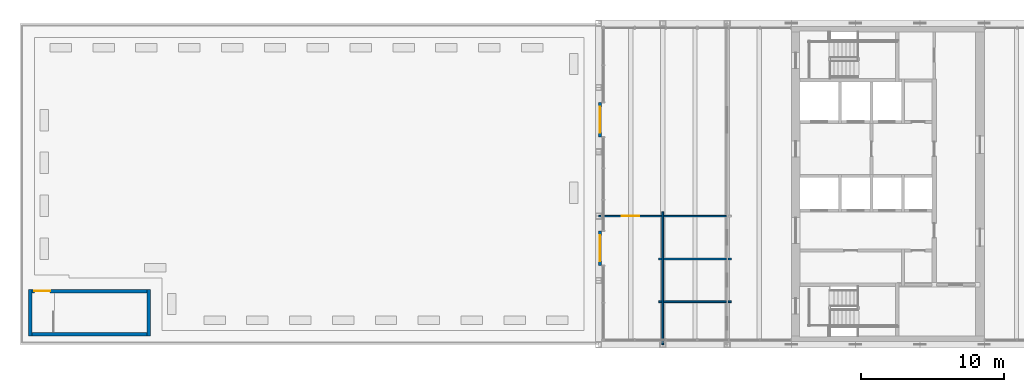
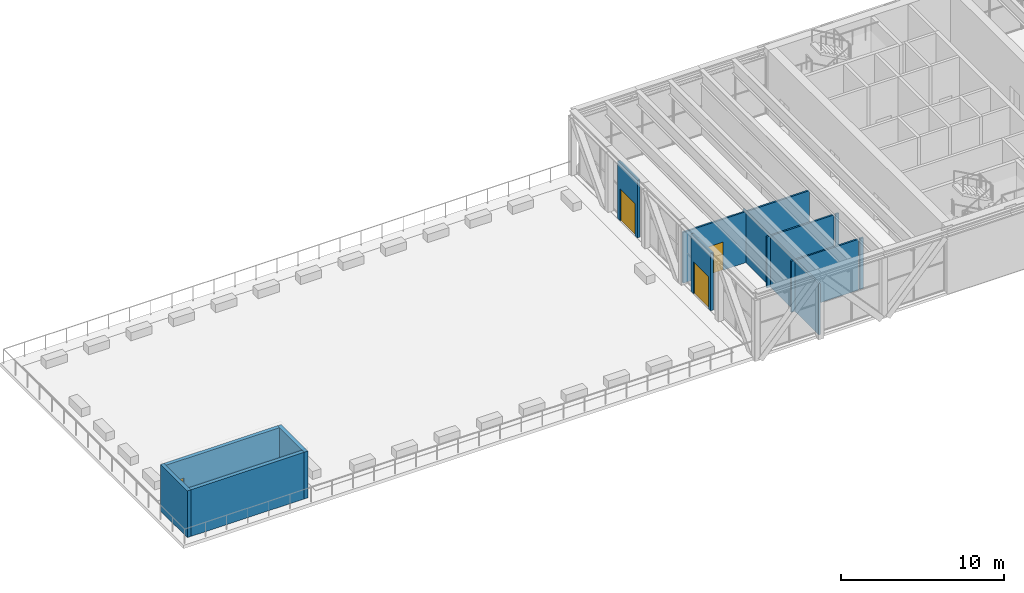
# One storey, part 7 of 13: 15 walls, 4 doors, 4 openings.
"""IFC4 building model written with IfcOpenShell, lengths in metres."""

from ifc_helpers import new_model, si_unit, direction, frame, frame_2d, origin, place, context, subcontext, project, spatial, rectangle, extrude, material, layer, layer_set, type_object, element, fill, save


model = new_model("IFC4")

# Units and contexts
model_context = context("Model", 3, precision=1e-05, world=origin(), true_north=direction((0.0, 1.0)))
body_context = subcontext(model_context, "Body", "Model", "MODEL_VIEW")
ifc_project = project(units=[si_unit("LENGTHUNIT", "METRE"), si_unit("AREAUNIT", "SQUARE_METRE"), si_unit("VOLUMEUNIT", "CUBIC_METRE"), si_unit("PLANEANGLEUNIT", "RADIAN"), si_unit("MASSUNIT", "GRAM", prefix="KILO")], contexts=[model_context])

# Site, building, storey
site_placement = place(None, origin())
site = spatial("IfcSite", under=ifc_project, at=site_placement, CompositionType="ELEMENT")
building_placement = place(site_placement, origin())
building = spatial("IfcBuilding", under=site, at=building_placement, Name="Sennacour Bend Tower", CompositionType="ELEMENT")
storey_placement = place(building_placement, frame((0.0, 0.0, 345.5)))
storey = spatial("IfcBuildingStorey", under=building, at=storey_placement, Name="L79", CompositionType="ELEMENT", Elevation=345.5)

# Wall, opening, door
ifc_material_1 = material(Name="Bronze anodised aluminium panel", Category="aluminium")
ifc_layer_1 = layer(ifc_material_1, 0.030029296875, Name="Bronze anodised aluminium panel", Category="aluminium")
ifc_material_2 = material(Name="Precast concrete C40/50", Category="concrete")
ifc_layer_2 = layer(ifc_material_2, 0.169921875, Name="Precast concrete C40/50", Category="concrete")
ifc_layer_set_1 = layer_set([ifc_layer_1, ifc_layer_2], Name="Precast concrete C40/50 with bronze aluminium panel")
wall_type_1 = type_object("IfcWallType", Name="ALUMINIUM-CLAD INFILL WALL 200", PredefinedType="STANDARD", material=ifc_layer_set_1)
wall_1_placement = place(storey_placement, frame((40.60009765625, 5.550048828125, 0.0), z_axis=(0.0, 0.0, 1.0), x_axis=(0.0, 1.0, 0.0)))
wall_1 = element("IfcWall", 1, at=wall_1_placement, inside=storey, type_object=wall_type_1, Name="Infill wall L79", PredefinedType="STANDARD", context=body_context, shape_type="SweptSolid", body=[
    extrude(rectangle(XDim=2.39990234375, YDim=0.199951171875, at=frame_2d((1.199951171875, 0.0))), origin(), (0.0, 0.0, 1.0), 4.302001953125),
])
opening_1_placement = place(wall_1_placement, frame((0.300048828125, 0.0, 0.0)))
opening_1 = element("IfcOpeningElement", 2, at=opening_1_placement, cuts=wall_1, Name="Opening TD1", PredefinedType="OPENING", context=body_context, shape_type="SweptSolid", body=[
    extrude(rectangle(XDim=1.800048828125, YDim=2.39990234375, at=frame_2d((0.89990234375, 1.199951171875))), frame((0.0, 0.10986328125, 0.0), z_axis=(0.0, -1.0, 0.0), x_axis=(1.0, 0.0, 0.0)), (0.0, 0.0, 1.0), 0.219970703125),
])
ifc_material_3 = material(Name="Aluminium framed glazed door", Category="aluminium")
door_type_1 = type_object("IfcDoorType", Name="DR-TERRACE-1800x2400", OperationType="DOUBLE_DOOR_SINGLE_SWING", PredefinedType="DOOR", material=ifc_material_3)
door_1_placement = place(opening_1_placement, origin())
door_1 = element("IfcDoor", 3, at=door_1_placement, inside=storey, type_object=door_type_1, Name="Terrace door L79", OperationType="DOUBLE_DOOR_SINGLE_SWING", OverallHeight=2.39990234375, OverallWidth=1.800048828125, PredefinedType="DOOR", context=body_context, shape_type="SweptSolid", body=[
    extrude(rectangle(XDim=1.800048828125, YDim=2.39990234375, at=frame_2d((0.89990234375, 1.199951171875))), frame((0.0, 0.02490234375, 0.0), z_axis=(0.0, -1.0, 0.0), x_axis=(1.0, 0.0, 0.0)), (0.0, 0.0, 1.0), 0.050048828125),
])
fill(opening_1, door_1)

wall_2_placement = place(storey_placement, frame((40.60009765625, 14.550048828125, 0.0), z_axis=(0.0, 0.0, 1.0), x_axis=(0.0, 1.0, 0.0)))
wall_2 = element("IfcWall", 4, at=wall_2_placement, inside=storey, type_object=wall_type_1, Name="Infill wall L79", PredefinedType="STANDARD", context=body_context, shape_type="SweptSolid", body=[
    extrude(rectangle(XDim=2.39990234375, YDim=0.199951171875, at=frame_2d((1.199951171875, 0.0))), origin(), (0.0, 0.0, 1.0), 4.302001953125),
])
opening_2_placement = place(wall_2_placement, frame((0.300048828125, 0.0, 0.0)))
opening_2 = element("IfcOpeningElement", 5, at=opening_2_placement, cuts=wall_2, Name="Opening TD1", PredefinedType="OPENING", context=body_context, shape_type="SweptSolid", body=[
    extrude(rectangle(XDim=1.800048828125, YDim=2.39990234375, at=frame_2d((0.89990234375, 1.199951171875))), frame((0.0, 0.10986328125, 0.0), z_axis=(0.0, -1.0, 0.0), x_axis=(1.0, 0.0, 0.0)), (0.0, 0.0, 1.0), 0.219970703125),
])
door_2_placement = place(opening_2_placement, origin())
door_2 = element("IfcDoor", 6, at=door_2_placement, inside=storey, type_object=door_type_1, Name="Terrace door L79", OperationType="DOUBLE_DOOR_SINGLE_SWING", OverallHeight=2.39990234375, OverallWidth=1.800048828125, PredefinedType="DOOR", context=body_context, shape_type="SweptSolid", body=[
    extrude(rectangle(XDim=1.800048828125, YDim=2.39990234375, at=frame_2d((0.89990234375, 1.199951171875))), frame((0.0, 0.02490234375, 0.0), z_axis=(0.0, -1.0, 0.0), x_axis=(1.0, 0.0, 0.0)), (0.0, 0.0, 1.0), 0.050048828125),
])
fill(opening_2, door_2)

# Walls
ifc_material_4 = material(Name="Plasterboard partition on steel studs", Category="steel")
ifc_layer_3 = layer(ifc_material_4, 0.1201171875, Name="Plasterboard partition on steel studs", Category="steel")
ifc_layer_set_2 = layer_set([ifc_layer_3], Name="Plasterboard partition on steel studs")
wall_type_2 = type_object("IfcWallType", Name="Partition 120", PredefinedType="PARTITIONING", material=ifc_layer_set_2)
wall_3_placement = place(storey_placement, frame((45.0, 0.010009765625, 0.0), z_axis=(0.0, 0.0, 1.0), x_axis=(0.0, 1.0, 0.0)))
element("IfcWall", 7, at=wall_3_placement, inside=storey, type_object=wall_type_2, Name="P-L79-W006a", PredefinedType="PARTITIONING", context=body_context, shape_type="SweptSolid", body=[
    extrude(rectangle(XDim=9.2900390625, YDim=0.1201171875, at=frame_2d((4.64501953125, 0.0))), origin(), (0.0, 0.0, 1.0), 3.808837890625),
])
wall_4_placement = place(storey_placement, frame((44.699951171875, 3.0, 0.0), z_axis=(0.0, 0.0, 1.0), x_axis=(1.0, 0.0, 0.0)))
element("IfcWall", 8, at=wall_4_placement, inside=storey, type_object=wall_type_2, Name="P-L79-W024aa", PredefinedType="PARTITIONING", context=body_context, shape_type="SweptSolid", body=[
    extrude(rectangle(XDim=0.239990234375, YDim=0.1201171875, at=frame_2d((0.1201171875, 0.0))), origin(), (0.0, 0.0, 1.0), 3.808837890625),
])
wall_5_placement = place(storey_placement, frame((45.06005859375, 3.0, 0.0), z_axis=(0.0, 0.0, 1.0), x_axis=(1.0, 0.0, 0.0)))
element("IfcWall", 9, at=wall_5_placement, inside=storey, type_object=wall_type_2, Name="P-L79-W024ab", PredefinedType="PARTITIONING", context=body_context, shape_type="SweptSolid", body=[
    extrude(rectangle(XDim=4.3798828125, YDim=0.1201171875, at=frame_2d((2.18994140625, 0.0))), origin(), (0.0, 0.0, 1.0), 3.808837890625),
])
for number, where, z_axis, x_axis, name in (
    (10, (49.56005859375, 3.0, 0.0), (0.0, 0.0, 1.0), (1.0, 0.0, 0.0), "P-L79-W024ac"),
    (11, (44.699951171875, 6.0, 0.0), (0.0, 0.0, 1.0), (1.0, 0.0, 0.0), "P-L79-W029aa"),
):
    element("IfcWall", number, at=place(storey_placement, frame(where, z_axis=z_axis, x_axis=x_axis)), inside=storey, type_object=wall_type_2, Name=name, PredefinedType="PARTITIONING", context=body_context, shape_type="SweptSolid", body=[
        extrude(rectangle(XDim=0.239990234375, YDim=0.1201171875, at=frame_2d((0.1201171875, 0.0))), origin(), (0.0, 0.0, 1.0), 3.808837890625),
    ])
wall_6_placement = place(storey_placement, frame((45.06005859375, 6.0, 0.0), z_axis=(0.0, 0.0, 1.0), x_axis=(1.0, 0.0, 0.0)))
element("IfcWall", 12, at=wall_6_placement, inside=storey, type_object=wall_type_2, Name="P-L79-W029ab", PredefinedType="PARTITIONING", context=body_context, shape_type="SweptSolid", body=[
    extrude(rectangle(XDim=4.3798828125, YDim=0.1201171875, at=frame_2d((2.18994140625, 0.0))), origin(), (0.0, 0.0, 1.0), 3.808837890625),
])
wall_7_placement = place(storey_placement, frame((49.56005859375, 6.0, 0.0), z_axis=(0.0, 0.0, 1.0), x_axis=(1.0, 0.0, 0.0)))
element("IfcWall", 13, at=wall_7_placement, inside=storey, type_object=wall_type_2, Name="P-L79-W029ac", PredefinedType="PARTITIONING", context=body_context, shape_type="SweptSolid", body=[
    extrude(rectangle(XDim=0.239990234375, YDim=0.1201171875, at=frame_2d((0.1201171875, 0.0))), origin(), (0.0, 0.0, 1.0), 3.808837890625),
])

# Wall, opening, door
wall_8_placement = place(storey_placement, frame((40.510009765625, 9.0, 0.0), z_axis=(0.0, 0.0, 1.0), x_axis=(1.0, 0.0, 0.0)))
wall_8 = element("IfcWall", 14, at=wall_8_placement, inside=storey, type_object=wall_type_2, Name="P-L79-W032aa", PredefinedType="PARTITIONING", context=body_context, shape_type="SweptSolid", body=[
    extrude(rectangle(XDim=4.429931640625, YDim=0.1201171875, at=frame_2d((2.21484375, 0.0))), origin(), (0.0, 0.0, 1.0), 3.808837890625),
])
opening_3_placement = place(wall_8_placement, frame((1.625, 0.0, 0.0)))
opening_3 = element("IfcOpeningElement", 15, at=opening_3_placement, cuts=wall_8, Name="Opening OD", PredefinedType="OPENING", context=body_context, shape_type="SweptSolid", body=[
    extrude(rectangle(XDim=1.199951171875, YDim=2.10009765625, at=frame_2d((0.60009765625, 1.050048828125))), frame((0.0, 0.070068359375, 0.0), z_axis=(0.0, -1.0, 0.0), x_axis=(1.0, 0.0, 0.0)), (0.0, 0.0, 1.0), 0.14013671875),
])
ifc_material_5 = material(Name="Timber", Category="wood")
door_type_2 = type_object("IfcDoorType", Name="DR-OFFICE-1200", OperationType="NOTDEFINED", PredefinedType="DOOR", material=ifc_material_5)
door_3_placement = place(opening_3_placement, origin())
door_3 = element("IfcDoor", 16, at=door_3_placement, inside=storey, type_object=door_type_2, Name="Door", OperationType="SINGLE_SWING_RIGHT", OverallHeight=2.10009765625, OverallWidth=1.199951171875, PredefinedType="DOOR", context=body_context, shape_type="SweptSolid", body=[
    extrude(rectangle(XDim=1.199951171875, YDim=2.10009765625, at=frame_2d((0.60009765625, 1.050048828125))), frame((0.0, 0.02490234375, 0.0), z_axis=(0.0, -1.0, 0.0), x_axis=(1.0, 0.0, 0.0)), (0.0, 0.0, 1.0), 0.050048828125),
])
fill(opening_3, door_3)

# Walls
wall_9_placement = place(storey_placement, frame((45.06005859375, 9.0, 0.0), z_axis=(0.0, 0.0, 1.0), x_axis=(1.0, 0.0, 0.0)))
element("IfcWall", 17, at=wall_9_placement, inside=storey, type_object=wall_type_2, Name="P-L79-W032ab", PredefinedType="PARTITIONING", context=body_context, shape_type="SweptSolid", body=[
    extrude(rectangle(XDim=4.3798828125, YDim=0.1201171875, at=frame_2d((2.18994140625, 0.0))), origin(), (0.0, 0.0, 1.0), 3.808837890625),
])
ifc_material_6 = material(Name="Concrete C60/75", Category="concrete")
ifc_layer_4 = layer(ifc_material_6, 0.25, Name="Concrete C60/75", Category="concrete")
ifc_layer_set_3 = layer_set([ifc_layer_4], Name="Concrete C60/75")
wall_type_3 = type_object("IfcWallType", Name="Stair wall 250", PredefinedType="SHEAR", material=ifc_layer_set_3)
for number, where, z_axis, x_axis, name in (
    (18, (0.72509765625, 0.60009765625, 0.0), (0.0, 0.0, 1.0), (0.0, 1.0, 0.0), "P-L79-W002"),
    (19, (9.0, 0.60009765625, 0.0), (0.0, 0.0, 1.0), (0.0, 1.0, 0.0), "P-L79-W003"),
):
    element("IfcWall", number, at=place(storey_placement, frame(where, z_axis=z_axis, x_axis=x_axis)), inside=storey, type_object=wall_type_3, Name=name, PredefinedType="SHEAR", context=body_context, shape_type="SweptSolid", body=[
        extrude(rectangle(XDim=3.27490234375, YDim=0.25, at=frame_2d((1.637451171875, 0.0))), origin(), (0.0, 0.0, 1.0), 3.5),
    ])
wall_10_placement = place(storey_placement, frame((0.85009765625, 0.72509765625, 0.0), z_axis=(0.0, 0.0, 1.0), x_axis=(1.0, 0.0, 0.0)))
element("IfcWall", 20, at=wall_10_placement, inside=storey, type_object=wall_type_3, Name="P-L79-W023", PredefinedType="SHEAR", context=body_context, shape_type="SweptSolid", body=[
    extrude(rectangle(XDim=8.02490234375, YDim=0.25, at=frame_2d((4.012451171875, 0.0))), origin(), (0.0, 0.0, 1.0), 3.5),
])

# Wall, opening, door
wall_11_placement = place(storey_placement, frame((0.85009765625, 3.75, 0.0), z_axis=(0.0, 0.0, 1.0), x_axis=(1.0, 0.0, 0.0)))
wall_11 = element("IfcWall", 21, at=wall_11_placement, inside=storey, type_object=wall_type_3, Name="P-L79-W026", PredefinedType="SHEAR", context=body_context, shape_type="SweptSolid", body=[
    extrude(rectangle(XDim=8.02490234375, YDim=0.25, at=frame_2d((4.012451171875, 0.0))), origin(), (0.0, 0.0, 1.0), 3.5),
])
opening_4_placement = place(wall_11_placement, frame((0.14990234375, 0.0, 0.0)))
opening_4 = element("IfcOpeningElement", 22, at=opening_4_placement, cuts=wall_11, Name="Opening SD", PredefinedType="OPENING", context=body_context, shape_type="SweptSolid", body=[
    extrude(rectangle(XDim=1.10009765625, YDim=2.10009765625, at=frame_2d((0.550048828125, 1.050048828125))), frame((0.0, 0.135009765625, 0.0), z_axis=(0.0, -1.0, 0.0), x_axis=(1.0, 0.0, 0.0)), (0.0, 0.0, 1.0), 0.27001953125),
])
ifc_material_7 = material(Name="Painted steel", Category="steel")
door_type_3 = type_object("IfcDoorType", Name="DR-STAIR-1100", OperationType="NOTDEFINED", PredefinedType="DOOR", material=ifc_material_7)
door_4_placement = place(opening_4_placement, origin())
door_4 = element("IfcDoor", 23, at=door_4_placement, inside=storey, type_object=door_type_3, Name="Door", OperationType="SINGLE_SWING_LEFT", OverallHeight=2.10009765625, OverallWidth=1.10009765625, PredefinedType="DOOR", context=body_context, shape_type="SweptSolid", body=[
    extrude(rectangle(XDim=1.10009765625, YDim=2.10009765625, at=frame_2d((0.550048828125, 1.050048828125))), frame((0.0, 0.02490234375, 0.0), z_axis=(0.0, -1.0, 0.0), x_axis=(1.0, 0.0, 0.0)), (0.0, 0.0, 1.0), 0.050048828125),
])
fill(opening_4, door_4)

save(model, "model.ifc")
